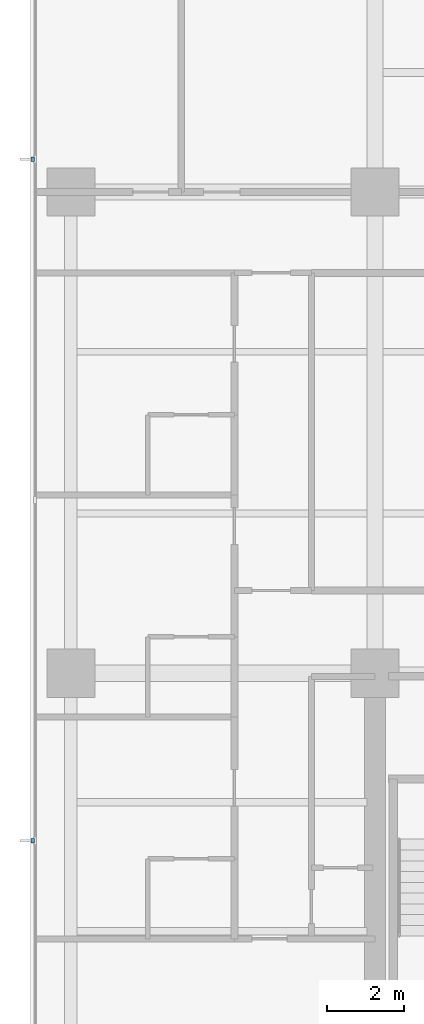
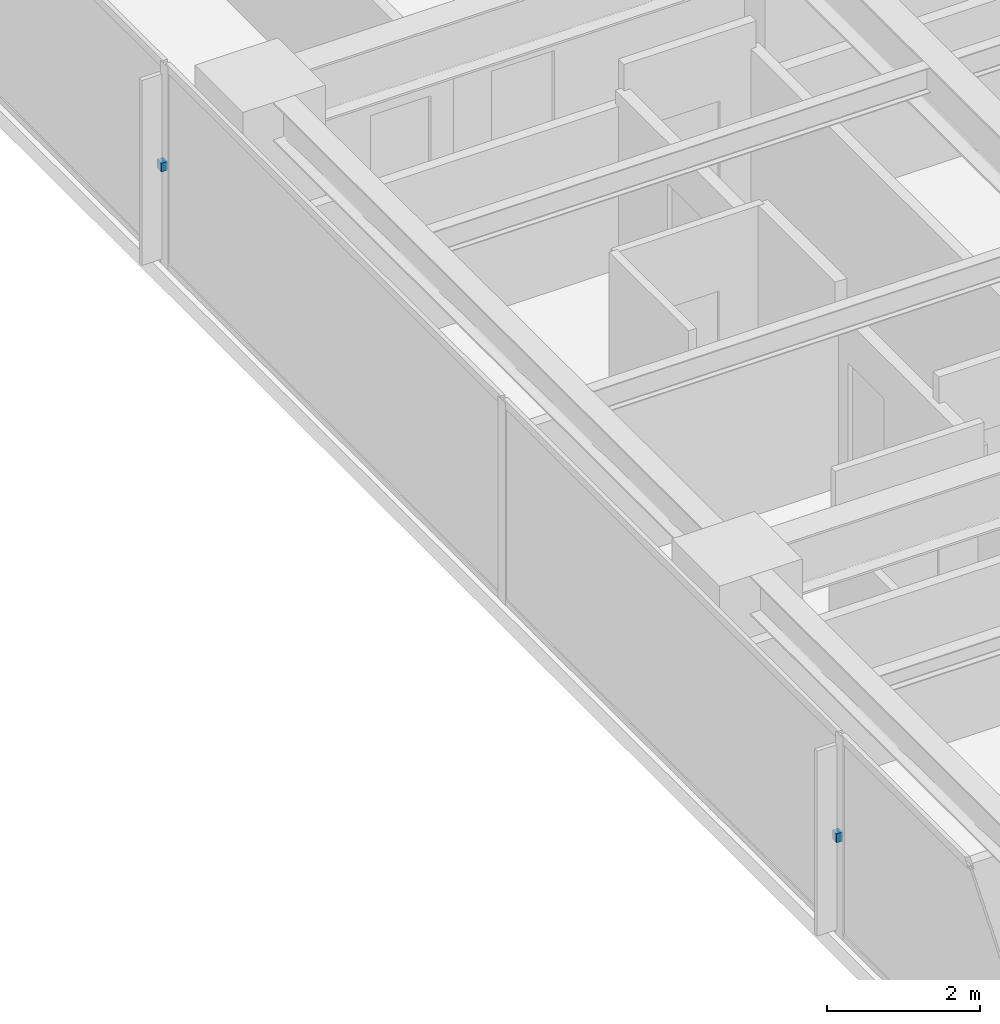
# One storey, part 13 of 17: 2 discrete accessories.
"""IFC4 building model written with IfcOpenShell, lengths in metres."""

import ifcopenshell
import ifcopenshell.guid

model = None  # the IFC model being written
_history = None  # IfcOwnerHistory: only IFC2X3 demands one
_inside = {}  # id of a spatial element -> (the spatial element, [elements in it])
_under = {}  # id of a project, library or spatial element -> (it, [spatial elements below it])
_declared = {}  # id of a project -> (the project, [libraries it declares])
_typed = {}  # id of a type object -> (the type object, [elements of that type])
_made_of = {}  # id of a material, layer set ... -> (it, [elements and type objects made of it])


def new_model(schema):
    """Start an empty IFC model of exactly this schema.

    Asked for "IFC4X3", IfcOpenShell would pick the latest addendum, in which some entities
    have other attributes; the version numbers below select the first issue.
    IFC2X3 requires an IfcOwnerHistory on every rooted entity: one is made here for all.
    """
    global model, _history
    if schema == "IFC4X3":
        model = ifcopenshell.file(schema_version=(4, 3, 0, 0))
    else:
        model = ifcopenshell.file(schema=schema)
    _inside.clear()
    _under.clear()
    _declared.clear()
    _typed.clear()
    _made_of.clear()
    _history = None
    if model.schema == "IFC2X3":
        org = make("IfcOrganization", Name="unknown")
        user = make(
            "IfcPersonAndOrganization",
            ThePerson=make("IfcPerson", FamilyName="unknown"),
            TheOrganization=org,
        )
        app = make(
            "IfcApplication",
            ApplicationDeveloper=org,
            Version="unknown",
            ApplicationFullName="unknown",
            ApplicationIdentifier="unknown",
        )
        _history = make(
            "IfcOwnerHistory",
            OwningUser=user,
            OwningApplication=app,
            ChangeAction="ADDED",
            CreationDate=0,
        )
    return model


def make(cls, **values):
    """One entity of the class cls with the attributes given. An attribute that is None is left unset."""
    return model.create_entity(
        cls, **{name: value for name, value in values.items() if value is not None}
    )


def rooted(cls, **values):
    """An entity with a GlobalId (a new one), such as an element, a storey or a relation."""
    return make(cls, GlobalId=ifcopenshell.guid.new(), OwnerHistory=_history, **values)


def si_unit(unit_type, name, prefix=None):
    """IfcSIUnit, for example si_unit("LENGTHUNIT", "METRE", prefix="MILLI")."""
    return make("IfcSIUnit", UnitType=unit_type, Prefix=prefix, Name=name)


def assignment(units):
    """IfcUnitAssignment: the units of a project."""
    return None if units is None else make("IfcUnitAssignment", Units=units)


def point(xyz):
    """IfcCartesianPoint."""
    return None if xyz is None else make("IfcCartesianPoint", Coordinates=xyz)


def direction(xyz):
    """IfcDirection."""
    return None if xyz is None else make("IfcDirection", DirectionRatios=xyz)


def frame(location, z_axis=None, x_axis=None):
    """IfcAxis2Placement3D, a coordinate frame: its origin and axes. An axis left out is left unset."""
    return make(
        "IfcAxis2Placement3D",
        Location=point(location),
        Axis=direction(z_axis),
        RefDirection=direction(x_axis),
    )


def origin():
    """The frame at (0, 0, 0) with its axes left unset."""
    return frame((0.0, 0.0, 0.0))


def place(relative_to, where):
    """IfcLocalPlacement: puts the frame where relative to a parent placement (None: the world)."""
    return make(
        "IfcLocalPlacement", PlacementRelTo=relative_to, RelativePlacement=where
    )


def context(
    kind, dimensions, precision=None, world=None, true_north=None, identifier=None
):
    """IfcGeometricRepresentationContext, for example the 3D "Model" context."""
    return make(
        "IfcGeometricRepresentationContext",
        ContextIdentifier=identifier,
        ContextType=kind,
        CoordinateSpaceDimension=dimensions,
        Precision=precision,
        WorldCoordinateSystem=world,
        TrueNorth=true_north,
    )


def subcontext(parent, identifier, kind, view, scale=None):
    """IfcGeometricRepresentationSubContext, for example "Body" below "Model"."""
    return make(
        "IfcGeometricRepresentationSubContext",
        ContextIdentifier=identifier,
        ContextType=kind,
        ParentContext=parent,
        TargetScale=scale,
        TargetView=view,
    )


def project(units=None, contexts=None):
    """IfcProject with its units and contexts."""
    return rooted(
        "IfcProject",
        Name="project",
        RepresentationContexts=contexts,
        UnitsInContext=assignment(units),
    )


def spatial(cls, under=None, at=None, **own):
    """A site, building, storey or space (cls), placed at a placement, below another one or the project."""
    s = rooted(cls, ObjectPlacement=at, **own)
    if under is not None:
        _under.setdefault(under.id(), (under, []))[1].append(s)
    return s


def polyline(points):
    """IfcPolyline through the points."""
    return make("IfcPolyline", Points=[point(p) for p in points])


def outline(outer, holes=None, kind="AREA"):
    """IfcArbitraryClosedProfileDef: a profile drawn as a closed curve; with holes, ...WithVoids."""
    if holes is None:
        return make("IfcArbitraryClosedProfileDef", ProfileType=kind, OuterCurve=outer)
    return make(
        "IfcArbitraryProfileDefWithVoids",
        ProfileType=kind,
        OuterCurve=outer,
        InnerCurves=holes,
    )


def extrude(swept, where, along, depth):
    """IfcExtrudedAreaSolid: the profile swept, set in the frame where, extruded along a direction by depth."""
    return make(
        "IfcExtrudedAreaSolid",
        SweptArea=swept,
        Position=where,
        ExtrudedDirection=direction(along),
        Depth=depth,
    )


def shape(context_of_items, identifier, shape_type, items):
    """IfcShapeRepresentation: the items that make up one representation, for example the "Body"."""
    return make(
        "IfcShapeRepresentation",
        ContextOfItems=context_of_items,
        RepresentationIdentifier=identifier,
        RepresentationType=shape_type,
        Items=items,
    )


def material(Name=None, Category=None):
    """IfcMaterial."""
    return make("IfcMaterial", Name=Name, Category=Category)


def made_of(thing, what):
    """Note that an element or type object is made of a material, layer set ...; save() writes the relation."""
    if what is not None:
        _made_of.setdefault(what.id(), (what, []))[1].append(thing)
    return thing


def type_object(cls, material=None, **own):
    """A type object (cls), such as IfcWallType, which elements share."""
    return made_of(rooted(cls, **own), material)


def element(
    cls,
    number,
    at=None,
    inside=None,
    cuts=None,
    type_object=None,
    material=None,
    context=None,
    identifier="Body",
    shape_type=None,
    held_by="IfcProductDefinitionShape",
    body=None,
    shapes=None,
    **own,
):
    """One element of the class cls, such as IfcWall. Its Tag is "e" and its number.

    at: its placement. inside: the storey or other place that contains it. cuts: it is an
    opening in that element (IfcRelVoidsElement). A single representation is given by context,
    identifier, shape_type and body (its items); several are given by shapes. held_by: the class
    of the entity that holds the representations. save() writes the other relations.
    """
    e = rooted(cls, Tag="e%d" % number, ObjectPlacement=at, **own)
    if body is not None:
        shapes = [shape(context, identifier, shape_type, body)]
    if shapes is not None:
        e.Representation = make(held_by, Representations=shapes)
    if inside is not None:
        _inside.setdefault(inside.id(), (inside, []))[1].append(e)
    if cuts is not None:
        rooted(
            "IfcRelVoidsElement", RelatingBuildingElement=cuts, RelatedOpeningElement=e
        )
    if type_object is not None:
        _typed.setdefault(type_object.id(), (type_object, []))[1].append(e)
    return made_of(e, material)


def aggregate(whole, parts):
    """IfcRelAggregates: a whole, such as a stair, and the parts it consists of."""
    return rooted("IfcRelAggregates", RelatingObject=whole, RelatedObjects=parts)


def save(model, path):
    """Write the relations noted so far, then the file.

    IfcRelAggregates (storeys below a building ...), IfcRelContainedInSpatialStructure (elements
    in a storey), IfcRelDefinesByType, IfcRelAssociatesMaterial and IfcRelDeclares: one each for
    every whole, place, type object, material and project.
    """
    for whole, parts in _under.values():
        aggregate(whole, parts)
    for where, things in _inside.values():
        rooted(
            "IfcRelContainedInSpatialStructure",
            RelatedElements=things,
            RelatingStructure=where,
        )
    for kind, things in _typed.values():
        rooted("IfcRelDefinesByType", RelatedObjects=things, RelatingType=kind)
    for what, things in _made_of.values():
        rooted("IfcRelAssociatesMaterial", RelatedObjects=things, RelatingMaterial=what)
    for by, libraries in _declared.values():
        rooted("IfcRelDeclares", RelatingContext=by, RelatedDefinitions=libraries)
    model.write(path)


model = new_model("IFC4")

# Units and contexts
model_context = context("Model", 3, precision=1e-05, world=origin(), true_north=direction((0.0, 1.0)))
body_context = subcontext(model_context, "Body", "Model", "MODEL_VIEW")
ifc_project = project(units=[si_unit("LENGTHUNIT", "METRE"), si_unit("AREAUNIT", "SQUARE_METRE"), si_unit("VOLUMEUNIT", "CUBIC_METRE"), si_unit("PLANEANGLEUNIT", "RADIAN"), si_unit("MASSUNIT", "GRAM", prefix="KILO")], contexts=[model_context])

# Site, building, storey
site_placement = place(None, origin())
site = spatial("IfcSite", under=ifc_project, at=site_placement, CompositionType="ELEMENT")
building_placement = place(site_placement, origin())
building = spatial("IfcBuilding", under=site, at=building_placement, Name="Qalmaran Belvedere Hotel", CompositionType="ELEMENT")
storey_placement = place(building_placement, frame((0.0, 0.0, 116.199951171875)))
storey = spatial("IfcBuildingStorey", under=building, at=storey_placement, Name="L29", CompositionType="ELEMENT", Elevation=116.199951171875)

# Discrete accessories
ifc_material = material(Name="Stainless Steel 1.4401", Category="steel")
discrete_accessory_type = type_object("IfcDiscreteAccessoryType", Name="BRK-FIN-SS316", PredefinedType="BRACKET", material=ifc_material)
discrete_accessory_1_placement = place(storey_placement, frame((0.0, 0.0, 1.570068359375)))
element("IfcDiscreteAccessory", 1, at=discrete_accessory_1_placement, inside=storey, type_object=discrete_accessory_type, Name="L29 Fin Bracket 1", PredefinedType="BRACKET", context=body_context, shape_type="SweptSolid", body=[
    extrude(outline(polyline([(11.455078125, 33.905029296875), (11.360107421875, 33.905029296875), (11.360107421875, 33.794921875), (11.455078125, 33.794921875), (11.455078125, 33.905029296875)])), origin(), (0.0, 0.0, 1.0), 0.139892578125),
])
discrete_accessory_2_placement = place(storey_placement, frame((0.0, 0.0, 1.570068359375)))
element("IfcDiscreteAccessory", 2, at=discrete_accessory_2_placement, inside=storey, type_object=discrete_accessory_type, Name="L29 Fin Bracket 3", PredefinedType="BRACKET", context=body_context, shape_type="SweptSolid", body=[
    extrude(outline(polyline([(11.455078125, 16.205078125), (11.360107421875, 16.205078125), (11.360107421875, 16.094970703125), (11.455078125, 16.094970703125), (11.455078125, 16.205078125)])), origin(), (0.0, 0.0, 1.0), 0.139892578125),
])

save(model, "model.ifc")
